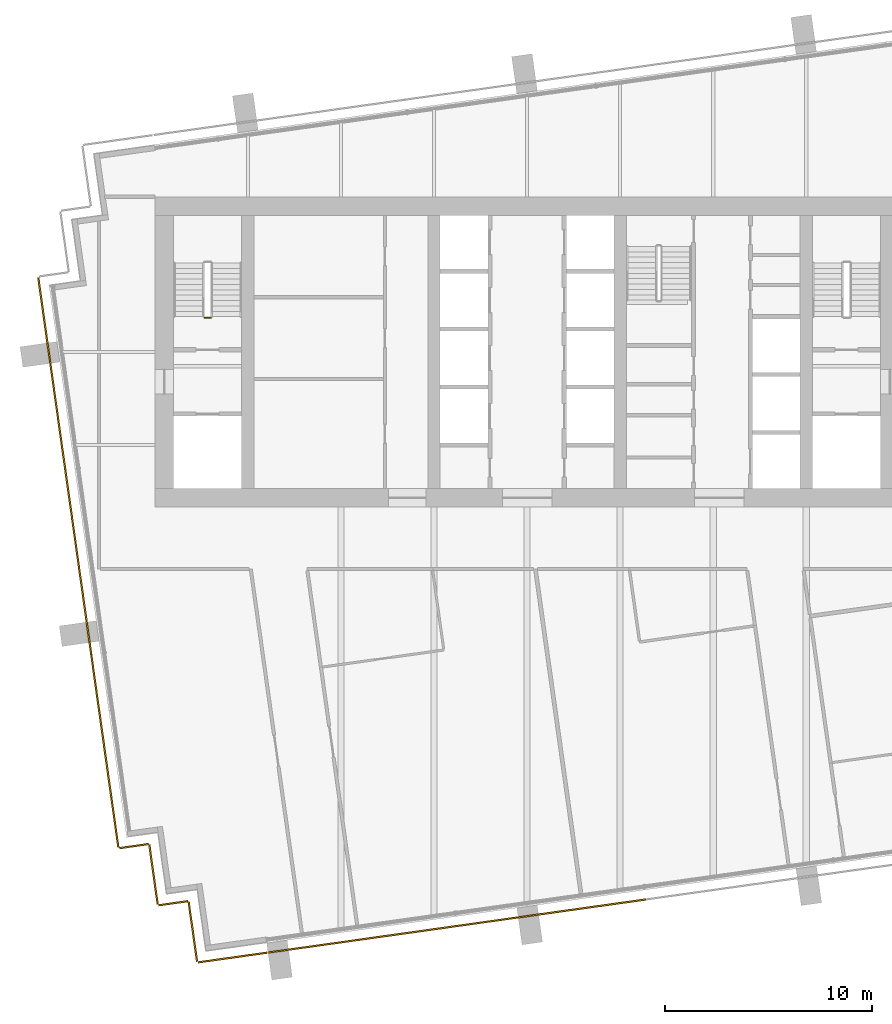
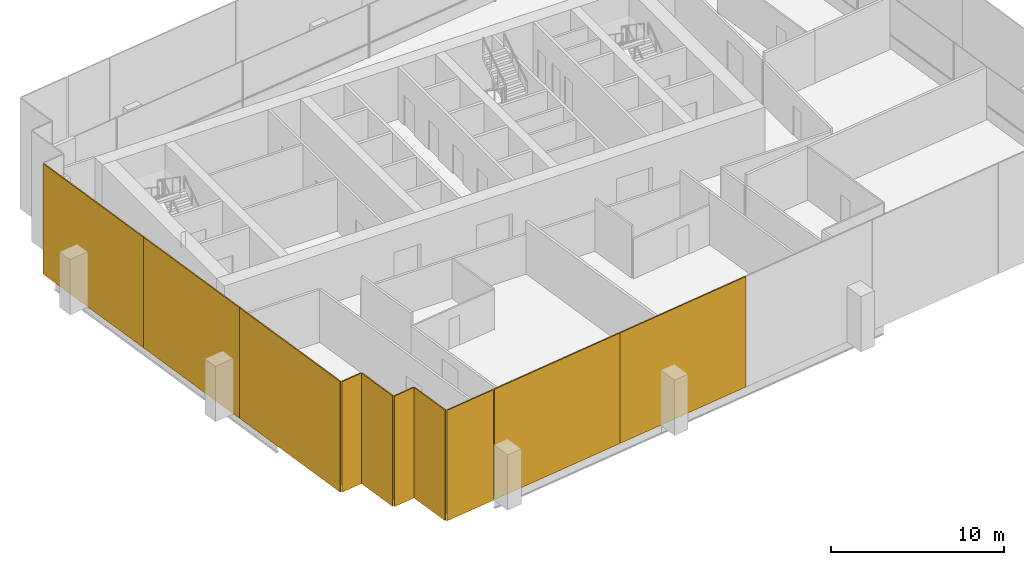
# One storey, part 13 of 17: 10 coverings, 1 railing.
"""IFC4 building model written with IfcOpenShell, lengths in metres."""

from ifc_helpers import new_model, si_unit, direction, frame, origin, origin_2d, place, context, subcontext, project, spatial, rectangle, extrude, material, layer, layer_set, type_object, element, save


model = new_model("IFC4")

# Units and contexts
model_context = context("Model", 3, precision=1e-05, world=origin(), true_north=direction((0.0, 1.0)))
body_context = subcontext(model_context, "Body", "Model", "MODEL_VIEW")
ifc_project = project(units=[si_unit("LENGTHUNIT", "METRE"), si_unit("AREAUNIT", "SQUARE_METRE"), si_unit("VOLUMEUNIT", "CUBIC_METRE"), si_unit("PLANEANGLEUNIT", "RADIAN"), si_unit("MASSUNIT", "GRAM", prefix="KILO")], contexts=[model_context])

# Site, building, storey
site_placement = place(None, origin())
site = spatial("IfcSite", under=ifc_project, at=site_placement, CompositionType="ELEMENT")
building_placement = place(site_placement, origin())
building = spatial("IfcBuilding", under=site, at=building_placement, Name="Rattan Terrace Tower", CompositionType="ELEMENT")
storey_placement = place(building_placement, frame((0.0, 0.0, 236.89990234375)))
storey = spatial("IfcBuildingStorey", under=building, at=storey_placement, Name="L54", CompositionType="ELEMENT", Elevation=236.89990234375)

# Railing
ifc_material_1 = material(Name="Powder-coated steel guard", Category="steel")
railing_type = type_object("IfcRailingType", Name="Core stair guard", PredefinedType="GUARDRAIL", material=ifc_material_1)
railing_placement = place(storey_placement, frame((-15.300048828125, 1.64990234375, 0.0)))
element("IfcRailing", 1, at=railing_placement, inside=storey, type_object=railing_type, Name="L54 S1 stair guard 4", PredefinedType="GUARDRAIL", context=body_context, shape_type="SweptSolid", body=[
    extrude(rectangle(XDim=0.048095703125, YDim=0.048095703125, at=origin_2d()), frame((0.0, 0.0, 1.076171875), z_axis=(-1.0, 0.0, 0.0), x_axis=(0.0, -1.0, 0.0)), (0.0, 0.0, 1.0), 0.300048828125),
    extrude(rectangle(XDim=0.0419921875, YDim=0.0419921875, at=origin_2d()), origin(), (0.0, 0.0, 1.0), 1.052001953125),
    extrude(rectangle(XDim=0.0419921875, YDim=0.0419921875, at=origin_2d()), frame((-0.300048828125, 0.0, 0.0)), (0.0, 0.0, 1.0), 1.052001953125),
])

# Coverings
ifc_material_2 = material(Name="Perforated terracotta", Category="masonry")
ifc_layer = layer(ifc_material_2, 0.080078125)
ifc_layer_set = layer_set([ifc_layer], Name="Facade Terracotta Screen Panel HZ")
covering_type = type_object("IfcCoveringType", Name="Facade Terracotta Screen Panel HZ", PredefinedType="CLADDING", material=ifc_layer_set)
covering_1_placement = place(storey_placement, frame((-22.984375, -1.062255859375, -0.18994140625), z_axis=(0.0, 0.0, 1.0), x_axis=(0.139186165309, -0.990266232579, 0.0)))
element("IfcCovering", 2, at=covering_1_placement, inside=storey, type_object=covering_type, Name="OUTER SKIN panel L54-24", PredefinedType="CLADDING", context=body_context, shape_type="SweptSolid", body=[
    extrude(rectangle(XDim=9.39990234375, YDim=0.080078125, at=origin_2d()), origin(), (0.0, 0.0, 1.0), 7.780029296875),
])
covering_2_placement = place(storey_placement, frame((-21.702392578125, -10.1826171875, -0.18994140625), z_axis=(0.0, 0.0, 1.0), x_axis=(0.139186165309, -0.990266232579, 0.0)))
element("IfcCovering", 3, at=covering_2_placement, inside=storey, type_object=covering_type, Name="OUTER SKIN panel L54-25", PredefinedType="CLADDING", context=body_context, shape_type="SweptSolid", body=[
    extrude(rectangle(XDim=8.97998046875, YDim=0.080078125, at=origin_2d()), origin(), (0.0, 0.0, 1.0), 7.780029296875),
])
covering_3_placement = place(storey_placement, frame((-20.420654296875, -19.302978515625, -0.18994140625), z_axis=(0.0, 0.0, 1.0), x_axis=(0.139186165309, -0.990266232579, 0.0)))
element("IfcCovering", 4, at=covering_3_placement, inside=storey, type_object=covering_type, Name="OUTER SKIN panel L54-26", PredefinedType="CLADDING", context=body_context, shape_type="SweptSolid", body=[
    extrude(rectangle(XDim=9.39990234375, YDim=0.080078125, at=origin_2d()), origin(), (0.0, 0.0, 1.0), 7.780029296875),
])
covering_4_placement = place(storey_placement, frame((-19.007080078125, -23.900634765625, -0.18994140625), z_axis=(0.0, 0.0, 1.0), x_axis=(0.990240767803, 0.139367219175, 0.0)))
element("IfcCovering", 5, at=covering_4_placement, inside=storey, type_object=covering_type, Name="OUTER SKIN panel L54-27", PredefinedType="CLADDING", context=body_context, shape_type="SweptSolid", body=[
    extrude(rectangle(XDim=1.419677734375, YDim=0.080078125, at=origin_2d()), origin(), (0.0, 0.0, 1.0), 7.780029296875),
])
covering_5_placement = place(storey_placement, frame((-18.06689453125, -25.273193359375, -0.18994140625), z_axis=(0.0, 0.0, 1.0), x_axis=(0.139321220646, -0.990247240581, 0.0)))
element("IfcCovering", 6, at=covering_5_placement, inside=storey, type_object=covering_type, Name="OUTER SKIN panel L54-28", PredefinedType="CLADDING", context=body_context, shape_type="SweptSolid", body=[
    extrude(rectangle(XDim=2.920166015625, YDim=0.080078125, at=origin_2d()), origin(), (0.0, 0.0, 1.0), 7.780029296875),
])
covering_6_placement = place(storey_placement, frame((-17.10400390625, -26.662841796875, -0.18994140625), z_axis=(0.0, 0.0, 1.0), x_axis=(0.990240767803, 0.139367219175, 0.0)))
element("IfcCovering", 7, at=covering_6_placement, inside=storey, type_object=covering_type, Name="OUTER SKIN panel L54-29", PredefinedType="CLADDING", context=body_context, shape_type="SweptSolid", body=[
    extrude(rectangle(XDim=1.419677734375, YDim=0.080078125, at=origin_2d()), origin(), (0.0, 0.0, 1.0), 7.780029296875),
])
covering_7_placement = place(storey_placement, frame((-16.163818359375, -28.03515625, -0.18994140625), z_axis=(0.0, 0.0, 1.0), x_axis=(0.139321220646, -0.990247240581, 0.0)))
element("IfcCovering", 8, at=covering_7_placement, inside=storey, type_object=covering_type, Name="OUTER SKIN panel L54-30", PredefinedType="CLADDING", context=body_context, shape_type="SweptSolid", body=[
    extrude(rectangle(XDim=2.920166015625, YDim=0.080078125, at=origin_2d()), origin(), (0.0, 0.0, 1.0), 7.780029296875),
])
covering_8_placement = place(storey_placement, frame((-14.2353515625, -29.289306640625, -0.18994140625), z_axis=(0.0, 0.0, 1.0), x_axis=(0.990293172258, 0.138994363123, 0.0)))
element("IfcCovering", 9, at=covering_8_placement, inside=storey, type_object=covering_type, Name="OUTER SKIN panel L54-31", PredefinedType="CLADDING", context=body_context, shape_type="SweptSolid", body=[
    extrude(rectangle(XDim=3.3701171875, YDim=0.080078125, at=origin_2d()), origin(), (0.0, 0.0, 1.0), 7.780029296875),
])
covering_9_placement = place(storey_placement, frame((-7.941650390625, -28.405029296875, -0.18994140625), z_axis=(0.0, 0.0, 1.0), x_axis=(0.990267457022, 0.139177453499, 0.0)))
element("IfcCovering", 10, at=covering_9_placement, inside=storey, type_object=covering_type, Name="OUTER SKIN panel L54-32", PredefinedType="CLADDING", context=body_context, shape_type="SweptSolid", body=[
    extrude(rectangle(XDim=9.18115234375, YDim=0.080078125, at=origin_2d()), origin(), (0.0, 0.0, 1.0), 7.780029296875),
])
covering_10_placement = place(storey_placement, frame((1.184814453125, -27.122314453125, -0.18994140625), z_axis=(0.0, 0.0, 1.0), x_axis=(0.990267457022, 0.139177453499, 0.0)))
element("IfcCovering", 11, at=covering_10_placement, inside=storey, type_object=covering_type, Name="OUTER SKIN panel L54-33", PredefinedType="CLADDING", context=body_context, shape_type="SweptSolid", body=[
    extrude(rectangle(XDim=9.2109375, YDim=0.080078125, at=origin_2d()), origin(), (0.0, 0.0, 1.0), 7.780029296875),
])

save(model, "model.ifc")
